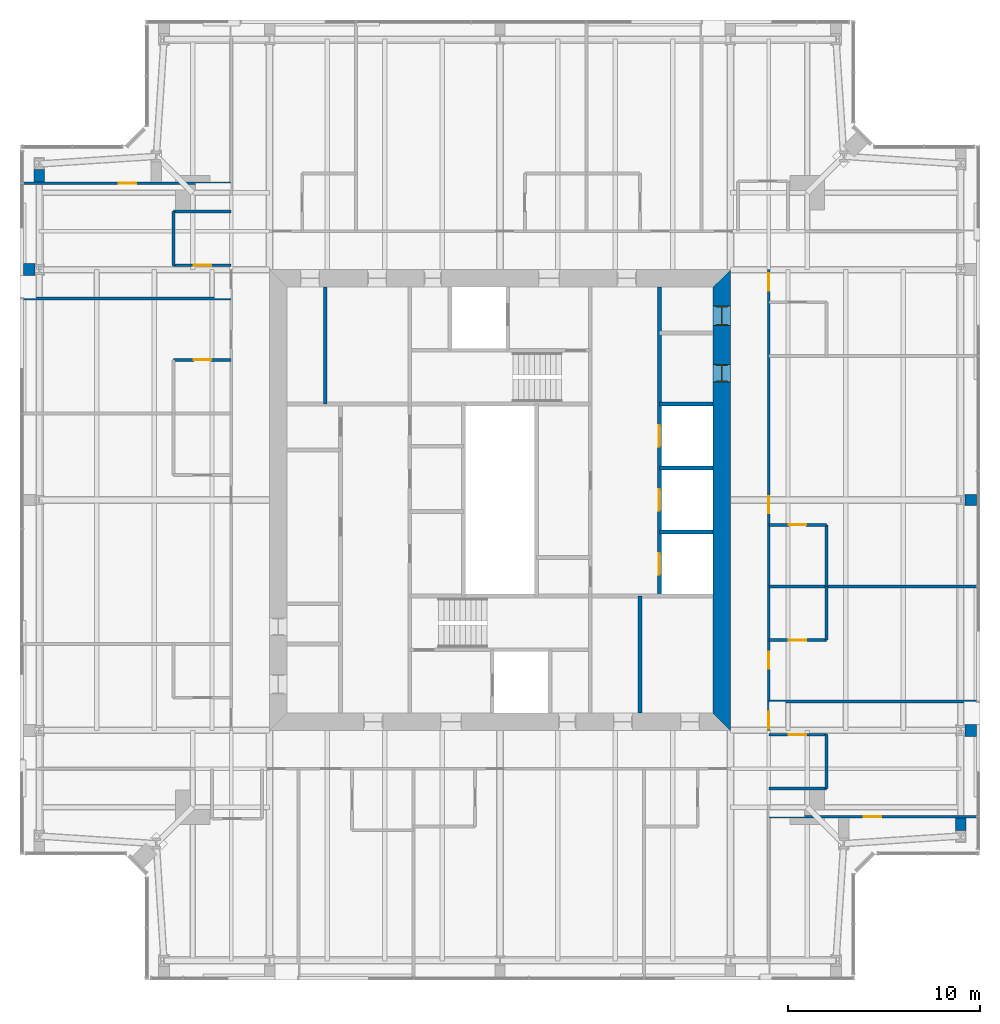
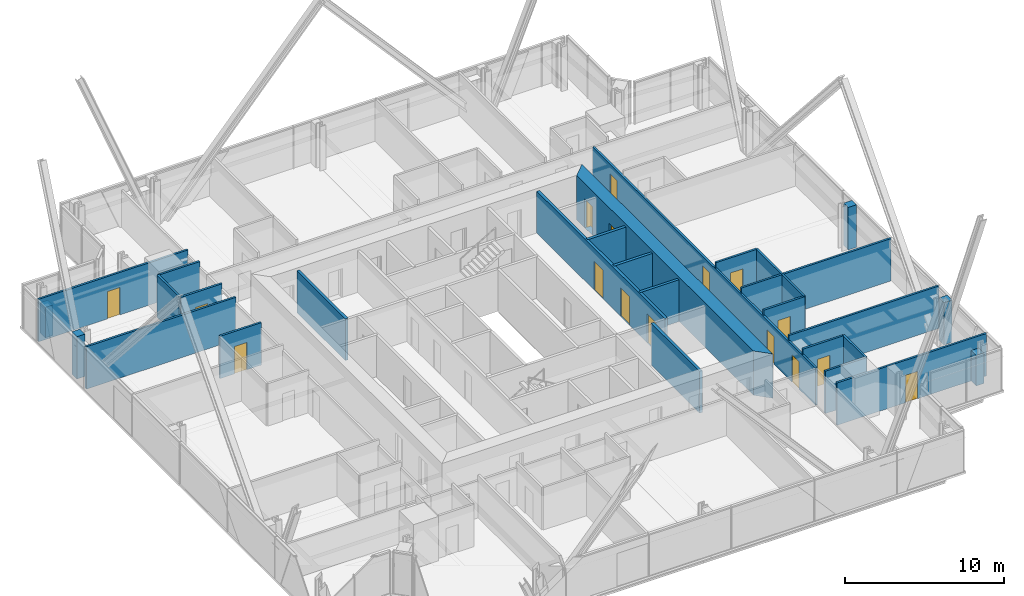
# One storey, part 13 of 18: 29 walls, 16 doors, 16 openings.
"""IFC4 building model written with IfcOpenShell, lengths in metres."""

from ifc_helpers import new_model, si_unit, direction, frame, frame_2d, origin, place, context, subcontext, project, spatial, polyline, rectangle, outline, extrude, material, layer, layer_set, type_object, element, fill, save


model = new_model("IFC4")

# Units and contexts
model_context = context("Model", 3, precision=1e-05, world=origin(), true_north=direction((0.0, 1.0)))
body_context = subcontext(model_context, "Body", "Model", "MODEL_VIEW")
ifc_project = project(units=[si_unit("LENGTHUNIT", "METRE"), si_unit("AREAUNIT", "SQUARE_METRE"), si_unit("VOLUMEUNIT", "CUBIC_METRE"), si_unit("PLANEANGLEUNIT", "RADIAN"), si_unit("MASSUNIT", "GRAM", prefix="KILO")], contexts=[model_context])

# Site, building, storey
site_placement = place(None, origin())
site = spatial("IfcSite", under=ifc_project, at=site_placement, CompositionType="ELEMENT")
building_placement = place(site_placement, origin())
building = spatial("IfcBuilding", under=site, at=building_placement, Name="Fenwick Lantern Interchange", CompositionType="ELEMENT")
storey_placement = place(building_placement, frame((0.0, 0.0, 269.60009765625)))
storey = spatial("IfcBuildingStorey", under=building, at=storey_placement, Name="L64", CompositionType="ELEMENT", Elevation=269.60009765625)

# Walls
ifc_material_1 = material(Name="Fire-rated gypsum board encasement on steel studs, 2 hour", Category="steel")
ifc_layer_1 = layer(ifc_material_1, 0.554931640625)
ifc_layer_set_1 = layer_set([ifc_layer_1], Name="COLUMN PIER 555")
wall_type_1 = type_object("IfcWallType", Name="COLUMN PIER 555", PredefinedType="PARTITIONING", material=ifc_layer_set_1)
for number, where, z_axis, x_axis, name in (
    (1, (49.0, 8.425048828125, 0.0), (0.0, 0.0, 1.0), (0.0, -1.0, 0.0), "L64/W/PIER/CE1"),
    (2, (1.0, 41.574951171875, 0.0), (0.0, 0.0, 1.0), (0.0, 1.0, 0.0), "L64/W/PIER/CW1"),
):
    element("IfcWall", number, at=place(storey_placement, frame(where, z_axis=z_axis, x_axis=x_axis)), inside=storey, type_object=wall_type_1, Name=name, PredefinedType="PARTITIONING", context=body_context, shape_type="SweptSolid", body=[
        extrude(rectangle(XDim=0.640625, YDim=0.554931640625, at=frame_2d((0.3203125, 0.0))), origin(), (0.0, 0.0, 1.0), 2.338134765625),
    ])
ifc_layer_2 = layer(ifc_material_1, 0.574951171875)
ifc_layer_set_2 = layer_set([ifc_layer_2], Name="COLUMN PIER 575")
wall_type_2 = type_object("IfcWallType", Name="COLUMN PIER 575", PredefinedType="PARTITIONING", material=ifc_layer_set_2)
wall_1_placement = place(storey_placement, frame((49.81005859375, 25.0, 0.0), z_axis=(0.0, 0.0, 1.0), x_axis=(-1.0, 0.0, 0.0)))
element("IfcWall", 3, at=wall_1_placement, inside=storey, type_object=wall_type_2, Name="L64/W/PIER/CE3", PredefinedType="PARTITIONING", context=body_context, shape_type="SweptSolid", body=[
    extrude(rectangle(XDim=0.597900390625, YDim=0.574951171875, at=frame_2d((0.298828125, 0.0))), origin(), (0.0, 0.0, 1.0), 3.25),
])
ifc_layer_3 = layer(ifc_material_1, 0.631103515625)
ifc_layer_set_3 = layer_set([ifc_layer_3], Name="COLUMN PIER 631")
wall_type_3 = type_object("IfcWallType", Name="COLUMN PIER 631", PredefinedType="PARTITIONING", material=ifc_layer_set_3)
for number, where, z_axis, x_axis, name in (
    (4, (49.81005859375, 13.0, 0.0), (0.0, 0.0, 1.0), (-1.0, 0.0, 0.0), "L64/W/PIER/CE2"),
    (5, (0.18994140625, 37.0, 0.0), (0.0, 0.0, 1.0), (1.0, 0.0, 0.0), "L64/W/PIER/CW2"),
):
    element("IfcWall", number, at=place(storey_placement, frame(where, z_axis=z_axis, x_axis=x_axis)), inside=storey, type_object=wall_type_3, Name=name, PredefinedType="PARTITIONING", context=body_context, shape_type="SweptSolid", body=[
        extrude(rectangle(XDim=0.589111328125, YDim=0.631103515625, at=frame_2d((0.29443359375, 0.0))), origin(), (0.0, 0.0, 1.0), 3.25),
    ])
ifc_material_2 = material(Name="Concrete masonry ASTM C90 Grade N", Category="masonry")
ifc_layer_4 = layer(ifc_material_2, 0.199951171875)
ifc_layer_set_4 = layer_set([ifc_layer_4], Name="Concrete masonry ASTM C90 Grade N")
wall_type_4 = type_object("IfcWallType", Name="CORE PARTITION 200", PredefinedType="PARTITIONING", material=ifc_layer_set_4)
wall_2_placement = place(storey_placement, frame((32.300048828125, 13.89990234375, 0.0), z_axis=(0.0, 0.0, 1.0), x_axis=(0.0, 1.0, 0.0)))
element("IfcWall", 6, at=wall_2_placement, inside=storey, type_object=wall_type_4, Name="L64/W/CORES/i2", PredefinedType="PARTITIONING", context=body_context, shape_type="SweptSolid", body=[
    extrude(rectangle(XDim=6.10009765625, YDim=0.199951171875, at=frame_2d((3.050048828125, 0.0))), origin(), (0.0, 0.0, 1.0), 3.199951171875),
])

# Wall, openings, doors
wall_3_placement = place(storey_placement, frame((33.300048828125, 36.10009765625, 0.0), z_axis=(0.0, 0.0, 1.0), x_axis=(0.0, -1.0, 0.0)))
wall_3 = element("IfcWall", 7, at=wall_3_placement, inside=storey, type_object=wall_type_4, Name="L64/W/COREN/a", PredefinedType="PARTITIONING", context=body_context, shape_type="SweptSolid", body=[
    extrude(rectangle(XDim=16.10009765625, YDim=0.199951171875, at=frame_2d((8.050048828125, 0.0))), origin(), (0.0, 0.0, 1.0), 3.199951171875),
])
opening_1_placement = place(wall_3_placement, frame((7.216552734375, 0.0, 0.0)))
opening_1 = element("IfcOpeningElement", 8, at=opening_1_placement, cuts=wall_3, Name="Opening LD-E1-1", PredefinedType="OPENING", context=body_context, shape_type="SweptSolid", body=[
    extrude(rectangle(XDim=1.10009765625, YDim=2.199951171875, at=frame_2d((0.550048828125, 1.10009765625))), frame((0.0, 0.10986328125, 0.0), z_axis=(0.0, -1.0, 0.0), x_axis=(1.0, 0.0, 0.0)), (0.0, 0.0, 1.0), 0.219970703125),
])
opening_2_placement = place(wall_3_placement, frame((10.550048828125, 0.0, 0.0)))
opening_2 = element("IfcOpeningElement", 9, at=opening_2_placement, cuts=wall_3, Name="Opening LD-E1-2", PredefinedType="OPENING", context=body_context, shape_type="SweptSolid", body=[
    extrude(rectangle(XDim=1.10009765625, YDim=2.199951171875, at=frame_2d((0.550048828125, 1.10009765625))), frame((0.0, 0.10986328125, 0.0), z_axis=(0.0, -1.0, 0.0), x_axis=(1.0, 0.0, 0.0)), (0.0, 0.0, 1.0), 0.219970703125),
])
opening_3_placement = place(wall_3_placement, frame((13.88330078125, 0.0, 0.0)))
opening_3 = element("IfcOpeningElement", 10, at=opening_3_placement, cuts=wall_3, Name="Opening LD-E1-3", PredefinedType="OPENING", context=body_context, shape_type="SweptSolid", body=[
    extrude(rectangle(XDim=1.10009765625, YDim=2.199951171875, at=frame_2d((0.550048828125, 1.10009765625))), frame((0.0, 0.10986328125, 0.0), z_axis=(0.0, -1.0, 0.0), x_axis=(1.0, 0.0, 0.0)), (0.0, 0.0, 1.0), 0.219970703125),
])
ifc_material_3 = material(Name="Steel door and frame", Category="steel")
door_type_1 = type_object("IfcDoorType", Name="LIFT LANDING DOOR 1100 X 2200", OperationType="DOUBLE_DOOR_SLIDING", PredefinedType="DOOR", material=ifc_material_3)
door_1_placement = place(opening_1_placement, origin())
door_1 = element("IfcDoor", 11, at=door_1_placement, inside=storey, type_object=door_type_1, Name="Lift landing door E1-1", OperationType="DOUBLE_DOOR_SLIDING", OverallHeight=2.199951171875, OverallWidth=1.10009765625, PredefinedType="DOOR", context=body_context, shape_type="SweptSolid", body=[
    extrude(rectangle(XDim=1.10009765625, YDim=2.199951171875, at=frame_2d((0.550048828125, 1.10009765625))), frame((0.0, 0.02490234375, 0.0), z_axis=(0.0, -1.0, 0.0), x_axis=(1.0, 0.0, 0.0)), (0.0, 0.0, 1.0), 0.050048828125),
])
fill(opening_1, door_1)
door_2_placement = place(opening_2_placement, origin())
door_2 = element("IfcDoor", 12, at=door_2_placement, inside=storey, type_object=door_type_1, Name="Lift landing door E1-2", OperationType="DOUBLE_DOOR_SLIDING", OverallHeight=2.199951171875, OverallWidth=1.10009765625, PredefinedType="DOOR", context=body_context, shape_type="SweptSolid", body=[
    extrude(rectangle(XDim=1.10009765625, YDim=2.199951171875, at=frame_2d((0.550048828125, 1.10009765625))), frame((0.0, 0.02490234375, 0.0), z_axis=(0.0, -1.0, 0.0), x_axis=(1.0, 0.0, 0.0)), (0.0, 0.0, 1.0), 0.050048828125),
])
fill(opening_2, door_2)
door_3_placement = place(opening_3_placement, origin())
door_3 = element("IfcDoor", 13, at=door_3_placement, inside=storey, type_object=door_type_1, Name="Lift landing door E1-3", OperationType="DOUBLE_DOOR_SLIDING", OverallHeight=2.199951171875, OverallWidth=1.10009765625, PredefinedType="DOOR", context=body_context, shape_type="SweptSolid", body=[
    extrude(rectangle(XDim=1.10009765625, YDim=2.199951171875, at=frame_2d((0.550048828125, 1.10009765625))), frame((0.0, 0.02490234375, 0.0), z_axis=(0.0, -1.0, 0.0), x_axis=(1.0, 0.0, 0.0)), (0.0, 0.0, 1.0), 0.050048828125),
])
fill(opening_3, door_3)

# Walls
for number, where, z_axis, x_axis, name in (
    (14, (36.10009765625, 30.0, 0.0), (0.0, 0.0, 1.0), (-1.0, 0.0, 0.0), "L64/W/COREN/c2"),
    (15, (36.10009765625, 26.666748046875, 0.0), (0.0, 0.0, 1.0), (-1.0, 0.0, 0.0), "L64/W/COREN/d1"),
    (16, (36.10009765625, 23.333251953125, 0.0), (0.0, 0.0, 1.0), (-1.0, 0.0, 0.0), "L64/W/COREN/d2"),
):
    element("IfcWall", number, at=place(storey_placement, frame(where, z_axis=z_axis, x_axis=x_axis)), inside=storey, type_object=wall_type_4, Name=name, PredefinedType="PARTITIONING", context=body_context, shape_type="SweptSolid", body=[
        extrude(rectangle(XDim=2.800048828125, YDim=0.199951171875, at=frame_2d((1.39990234375, 0.0))), origin(), (0.0, 0.0, 1.0), 3.199951171875),
    ])
wall_4_placement = place(storey_placement, frame((15.89990234375, 36.10009765625, 0.0), z_axis=(0.0, 0.0, 1.0), x_axis=(0.0, -1.0, 0.0)))
element("IfcWall", 17, at=wall_4_placement, inside=storey, type_object=wall_type_4, Name="L64/W/COREN/i2", PredefinedType="PARTITIONING", context=body_context, shape_type="SweptSolid", body=[
    extrude(rectangle(XDim=6.10009765625, YDim=0.199951171875, at=frame_2d((3.050048828125, 0.0))), origin(), (0.0, 0.0, 1.0), 3.199951171875),
])

# Wall, openings, doors
ifc_material_4 = material(Name="Concrete f'c 70 MPa", Category="concrete")
ifc_layer_5 = layer(ifc_material_4, 0.89990234375)
ifc_layer_set_5 = layer_set([ifc_layer_5], Name="CORE WALL 900")
wall_type_5 = type_object("IfcWallType", Name="CORE WALL 900", PredefinedType="SHEAR", material=ifc_layer_set_5)
wall_5_placement = place(storey_placement, frame((36.550048828125, 13.89990234375, 0.0), z_axis=(0.0, 0.0, 1.0), x_axis=(0.0, 1.0, 0.0)))
wall_5 = element("IfcWall", 18, at=wall_5_placement, inside=storey, type_object=wall_type_5, Name="L64/CORE/E", PredefinedType="SHEAR", context=body_context, shape_type="SweptSolid", body=[
    extrude(outline(polyline([(-0.89990234375, -0.449951171875), (23.10009765625, -0.449951171875), (22.199951171875, 0.449951171875), (0.0, 0.449951171875), (-0.89990234375, -0.449951171875)])), origin(), (0.0, 0.0, 1.0), 3.39990234375),
])
opening_4_placement = place(wall_5_placement, frame((20.199951171875, 0.0, 0.0)))
opening_4 = element("IfcOpeningElement", 19, at=opening_4_placement, cuts=wall_5, Name="Opening L64-D020", PredefinedType="OPENING", context=body_context, shape_type="SweptSolid", body=[
    extrude(rectangle(XDim=1.0, YDim=2.199951171875, at=frame_2d((0.5, 1.10009765625))), frame((0.0, 0.4599609375, 0.0), z_axis=(0.0, -1.0, 0.0), x_axis=(1.0, 0.0, 0.0)), (0.0, 0.0, 1.0), 0.919921875),
])
opening_5_placement = place(wall_5_placement, frame((17.25, 0.0, 0.0)))
opening_5 = element("IfcOpeningElement", 20, at=opening_5_placement, cuts=wall_5, Name="Opening L64-D021", PredefinedType="OPENING", context=body_context, shape_type="SweptSolid", body=[
    extrude(rectangle(XDim=0.89990234375, YDim=2.199951171875, at=frame_2d((0.449951171875, 1.10009765625))), frame((0.0, 0.4599609375, 0.0), z_axis=(0.0, -1.0, 0.0), x_axis=(1.0, 0.0, 0.0)), (0.0, 0.0, 1.0), 0.919921875),
])
door_type_2 = type_object("IfcDoorType", Name="SERVICE DOOR 1000 X 2200", OperationType="SINGLE_SWING_LEFT", PredefinedType="DOOR", material=ifc_material_3)
door_4_placement = place(opening_4_placement, origin())
door_4 = element("IfcDoor", 21, at=door_4_placement, inside=storey, type_object=door_type_2, Name="Service door", OperationType="SINGLE_SWING_LEFT", OverallHeight=2.199951171875, OverallWidth=1.0, PredefinedType="DOOR", context=body_context, shape_type="SweptSolid", body=[
    extrude(rectangle(XDim=1.0, YDim=2.199951171875, at=frame_2d((0.5, 1.10009765625))), frame((0.0, 0.02490234375, 0.0), z_axis=(0.0, -1.0, 0.0), x_axis=(1.0, 0.0, 0.0)), (0.0, 0.0, 1.0), 0.050048828125),
    extrude(outline(polyline([(0.0, 0.0), (0.0400390625, 0.0), (0.0400390625, 2.159912109375), (0.9599609375, 2.159912109375), (0.9599609375, 0.0), (1.0, 0.0), (1.0, 2.199951171875), (0.0, 2.199951171875), (0.0, 0.0)])), frame((0.0, 0.300048828125, 0.0), z_axis=(0.0, -1.0, 0.0), x_axis=(1.0, 0.0, 0.0)), (0.0, 0.0, 1.0), 0.60009765625),
])
fill(opening_4, door_4)
door_type_3 = type_object("IfcDoorType", Name="SERVICE DOOR 900 X 2200", OperationType="SINGLE_SWING_LEFT", PredefinedType="DOOR", material=ifc_material_3)
door_5_placement = place(opening_5_placement, origin())
door_5 = element("IfcDoor", 22, at=door_5_placement, inside=storey, type_object=door_type_3, Name="Service door", OperationType="SINGLE_SWING_LEFT", OverallHeight=2.199951171875, OverallWidth=0.89990234375, PredefinedType="DOOR", context=body_context, shape_type="SweptSolid", body=[
    extrude(rectangle(XDim=0.89990234375, YDim=2.199951171875, at=frame_2d((0.449951171875, 1.10009765625))), frame((0.0, 0.02490234375, 0.0), z_axis=(0.0, -1.0, 0.0), x_axis=(1.0, 0.0, 0.0)), (0.0, 0.0, 1.0), 0.050048828125),
    extrude(outline(polyline([(0.0, 0.0), (0.0400390625, 0.0), (0.0400390625, 2.159912109375), (0.85986328125, 2.159912109375), (0.85986328125, 0.0), (0.89990234375, 0.0), (0.89990234375, 2.199951171875), (0.0, 2.199951171875), (0.0, 0.0)])), frame((0.0, 0.300048828125, 0.0), z_axis=(0.0, -1.0, 0.0), x_axis=(1.0, 0.0, 0.0)), (0.0, 0.0, 1.0), 0.60009765625),
])
fill(opening_5, door_5)

ifc_material_5 = material(Name="Gypsum board on steel studs, 1 hour", Category="steel")
ifc_layer_6 = layer(ifc_material_5, 0.14990234375)
ifc_layer_set_6 = layer_set([ifc_layer_6], Name="CORRIDOR WALL 150")
wall_type_6 = type_object("IfcWallType", Name="CORRIDOR WALL 150", PredefinedType="PARTITIONING", material=ifc_layer_set_6)
wall_6_placement = place(storey_placement, frame((39.0, 11.0, 0.0), z_axis=(0.0, 0.0, 1.0), x_axis=(0.0, 1.0, 0.0)))
wall_6 = element("IfcWall", 23, at=wall_6_placement, inside=storey, type_object=wall_type_6, Name="L64/W/HOTEL/E/CW", PredefinedType="PARTITIONING", context=body_context, shape_type="SweptSolid", body=[
    extrude(rectangle(XDim=28.0, YDim=0.14990234375, at=frame_2d((14.0, 0.0))), origin(), (0.0, 0.0, 1.0), 2.843505859375),
])
opening_6_placement = place(wall_6_placement, frame((2.074951171875, 0.0, 0.0)))
opening_6 = element("IfcOpeningElement", 24, at=opening_6_placement, cuts=wall_6, Name="Opening L64-D034", PredefinedType="OPENING", context=body_context, shape_type="SweptSolid", body=[
    extrude(rectangle(XDim=0.89990234375, YDim=2.10009765625, at=frame_2d((0.449951171875, 1.050048828125))), frame((0.0, 0.0849609375, 0.0), z_axis=(0.0, -1.0, 0.0), x_axis=(1.0, 0.0, 0.0)), (0.0, 0.0, 1.0), 0.169921875),
])
opening_7_placement = place(wall_6_placement, frame((5.199951171875, 0.0, 0.0)))
opening_7 = element("IfcOpeningElement", 25, at=opening_7_placement, cuts=wall_6, Name="Opening L64-D036", PredefinedType="OPENING", context=body_context, shape_type="SweptSolid", body=[
    extrude(rectangle(XDim=0.89990234375, YDim=2.10009765625, at=frame_2d((0.449951171875, 1.050048828125))), frame((0.0, 0.0849609375, 0.0), z_axis=(0.0, -1.0, 0.0), x_axis=(1.0, 0.0, 0.0)), (0.0, 0.0, 1.0), 0.169921875),
])
opening_8_placement = place(wall_6_placement, frame((13.300048828125, 0.0, 0.0)))
opening_8 = element("IfcOpeningElement", 26, at=opening_8_placement, cuts=wall_6, Name="Opening L64-D038", PredefinedType="OPENING", context=body_context, shape_type="SweptSolid", body=[
    extrude(rectangle(XDim=0.89990234375, YDim=2.10009765625, at=frame_2d((0.449951171875, 1.050048828125))), frame((0.0, 0.0849609375, 0.0), z_axis=(0.0, -1.0, 0.0), x_axis=(1.0, 0.0, 0.0)), (0.0, 0.0, 1.0), 0.169921875),
])
opening_9_placement = place(wall_6_placement, frame((24.89990234375, 0.0, 0.0)))
opening_9 = element("IfcOpeningElement", 27, at=opening_9_placement, cuts=wall_6, Name="Opening L64-D040", PredefinedType="OPENING", context=body_context, shape_type="SweptSolid", body=[
    extrude(rectangle(XDim=0.89990234375, YDim=2.10009765625, at=frame_2d((0.449951171875, 1.050048828125))), frame((0.0, 0.0849609375, 0.0), z_axis=(0.0, -1.0, 0.0), x_axis=(1.0, 0.0, 0.0)), (0.0, 0.0, 1.0), 0.169921875),
])
door_type_4 = type_object("IfcDoorType", Name="GUEST ROOM DOOR 900 X 2100", OperationType="SINGLE_SWING_LEFT", PredefinedType="DOOR", material=ifc_material_3)
door_6_placement = place(opening_6_placement, frame((0.89990234375, 0.0, 0.0), z_axis=(0.0, 0.0, 1.0), x_axis=(-1.0, 0.0, 0.0)))
door_6 = element("IfcDoor", 28, at=door_6_placement, inside=storey, type_object=door_type_4, Name="Guest room door", OperationType="SINGLE_SWING_RIGHT", OverallHeight=2.10009765625, OverallWidth=0.89990234375, PredefinedType="DOOR", context=body_context, shape_type="SweptSolid", body=[
    extrude(rectangle(XDim=0.89990234375, YDim=2.10009765625, at=frame_2d((0.449951171875, 1.050048828125))), frame((0.0, 0.02490234375, 0.0), z_axis=(0.0, -1.0, 0.0), x_axis=(1.0, 0.0, 0.0)), (0.0, 0.0, 1.0), 0.050048828125),
])
fill(opening_6, door_6)
door_7_placement = place(opening_7_placement, frame((0.89990234375, 0.0, 0.0), z_axis=(0.0, 0.0, 1.0), x_axis=(-1.0, 0.0, 0.0)))
door_7 = element("IfcDoor", 29, at=door_7_placement, inside=storey, type_object=door_type_4, Name="Guest room door", OperationType="SINGLE_SWING_LEFT", OverallHeight=2.10009765625, OverallWidth=0.89990234375, PredefinedType="DOOR", context=body_context, shape_type="SweptSolid", body=[
    extrude(rectangle(XDim=0.89990234375, YDim=2.10009765625, at=frame_2d((0.449951171875, 1.050048828125))), frame((0.0, 0.02490234375, 0.0), z_axis=(0.0, -1.0, 0.0), x_axis=(1.0, 0.0, 0.0)), (0.0, 0.0, 1.0), 0.050048828125),
])
fill(opening_7, door_7)
door_8_placement = place(opening_8_placement, frame((0.89990234375, 0.0, 0.0), z_axis=(0.0, 0.0, 1.0), x_axis=(-1.0, 0.0, 0.0)))
door_8 = element("IfcDoor", 30, at=door_8_placement, inside=storey, type_object=door_type_4, Name="Guest room door", OperationType="SINGLE_SWING_RIGHT", OverallHeight=2.10009765625, OverallWidth=0.89990234375, PredefinedType="DOOR", context=body_context, shape_type="SweptSolid", body=[
    extrude(rectangle(XDim=0.89990234375, YDim=2.10009765625, at=frame_2d((0.449951171875, 1.050048828125))), frame((0.0, 0.02490234375, 0.0), z_axis=(0.0, -1.0, 0.0), x_axis=(1.0, 0.0, 0.0)), (0.0, 0.0, 1.0), 0.050048828125),
])
fill(opening_8, door_8)
door_9_placement = place(opening_9_placement, frame((0.89990234375, 0.0, 0.0), z_axis=(0.0, 0.0, 1.0), x_axis=(-1.0, 0.0, 0.0)))
door_9 = element("IfcDoor", 31, at=door_9_placement, inside=storey, type_object=door_type_4, Name="Guest room door", OperationType="SINGLE_SWING_RIGHT", OverallHeight=2.10009765625, OverallWidth=0.89990234375, PredefinedType="DOOR", context=body_context, shape_type="SweptSolid", body=[
    extrude(rectangle(XDim=0.89990234375, YDim=2.10009765625, at=frame_2d((0.449951171875, 1.050048828125))), frame((0.0, 0.02490234375, 0.0), z_axis=(0.0, -1.0, 0.0), x_axis=(1.0, 0.0, 0.0)), (0.0, 0.0, 1.0), 0.050048828125),
])
fill(opening_9, door_9)

# Wall
ifc_material_6 = material(Name="Gypsum board on steel studs, moisture resistant", Category="steel")
ifc_layer_7 = layer(ifc_material_6, 0.14990234375)
ifc_layer_set_7 = layer_set([ifc_layer_7], Name="EN-SUITE WALL 150")
wall_type_7 = type_object("IfcWallType", Name="EN-SUITE WALL 150", PredefinedType="PARTITIONING", material=ifc_layer_set_7)
wall_7_placement = place(storey_placement, frame((42.0, 9.97509765625, 0.0), z_axis=(0.0, 0.0, 1.0), x_axis=(0.0, 1.0, 0.0)))
element("IfcWall", 32, at=wall_7_placement, inside=storey, type_object=wall_type_7, Name="L64/W/HOTEL/E/U1BW", PredefinedType="PARTITIONING", context=body_context, shape_type="SweptSolid", body=[
    extrude(rectangle(XDim=2.7998046875, YDim=0.14990234375, at=frame_2d((1.39990234375, 0.0))), origin(), (0.0, 0.0, 1.0), 3.25),
])

# Wall, opening, door
wall_8_placement = place(storey_placement, frame((42.0, 12.77490234375, 0.0), z_axis=(0.0, 0.0, 1.0), x_axis=(-1.0, 0.0, 0.0)))
wall_8 = element("IfcWall", 33, at=wall_8_placement, inside=storey, type_object=wall_type_7, Name="L64/W/HOTEL/E/U1BX", PredefinedType="PARTITIONING", context=body_context, shape_type="SweptSolid", body=[
    extrude(rectangle(XDim=3.0, YDim=0.14990234375, at=frame_2d((1.5, 0.0))), origin(), (0.0, 0.0, 1.0), 3.25),
])
opening_10_placement = place(wall_8_placement, frame((1.050048828125, 0.0, 0.0)))
opening_10 = element("IfcOpeningElement", 34, at=opening_10_placement, cuts=wall_8, Name="Opening L64-D032", PredefinedType="OPENING", context=body_context, shape_type="SweptSolid", body=[
    extrude(rectangle(XDim=0.89990234375, YDim=2.10009765625, at=frame_2d((0.449951171875, 1.050048828125))), frame((0.0, 0.0849609375, 0.0), z_axis=(0.0, -1.0, 0.0), x_axis=(1.0, 0.0, 0.0)), (0.0, 0.0, 1.0), 0.169921875),
])
ifc_material_7 = material(Name="Hardwood door and steel frame", Category="steel")
door_type_5 = type_object("IfcDoorType", Name="EN-SUITE DOOR 900 X 2100", OperationType="SINGLE_SWING_LEFT", PredefinedType="DOOR", material=ifc_material_7)
door_10_placement = place(opening_10_placement, origin())
door_10 = element("IfcDoor", 35, at=door_10_placement, inside=storey, type_object=door_type_5, Name="En-suite door", OperationType="SINGLE_SWING_LEFT", OverallHeight=2.10009765625, OverallWidth=0.89990234375, PredefinedType="DOOR", context=body_context, shape_type="SweptSolid", body=[
    extrude(rectangle(XDim=0.89990234375, YDim=2.10009765625, at=frame_2d((0.449951171875, 1.050048828125))), frame((0.0, 0.02490234375, 0.0), z_axis=(0.0, -1.0, 0.0), x_axis=(1.0, 0.0, 0.0)), (0.0, 0.0, 1.0), 0.050048828125),
])
fill(opening_10, door_10)

# Walls
wall_9_placement = place(storey_placement, frame((42.0, 9.97509765625, 0.0), z_axis=(0.0, 0.0, 1.0), x_axis=(-1.0, 0.0, 0.0)))
element("IfcWall", 36, at=wall_9_placement, inside=storey, type_object=wall_type_7, Name="L64/W/HOTEL/E/U1BV", PredefinedType="PARTITIONING", context=body_context, shape_type="SweptSolid", body=[
    extrude(rectangle(XDim=3.0, YDim=0.14990234375, at=frame_2d((1.5, 0.0))), origin(), (0.0, 0.0, 1.0), 3.25),
])
wall_10_placement = place(storey_placement, frame((42.0, 17.699951171875, 0.0), z_axis=(0.0, 0.0, 1.0), x_axis=(0.0, 1.0, 0.0)))
element("IfcWall", 37, at=wall_10_placement, inside=storey, type_object=wall_type_7, Name="L64/W/HOTEL/E/U2BW", PredefinedType="PARTITIONING", context=body_context, shape_type="SweptSolid", body=[
    extrude(rectangle(XDim=2.800048828125, YDim=0.14990234375, at=frame_2d((1.39990234375, 0.0))), origin(), (0.0, 0.0, 1.0), 3.25),
])

# Wall, opening, door
wall_11_placement = place(storey_placement, frame((42.0, 17.699951171875, 0.0), z_axis=(0.0, 0.0, 1.0), x_axis=(-1.0, 0.0, 0.0)))
wall_11 = element("IfcWall", 38, at=wall_11_placement, inside=storey, type_object=wall_type_7, Name="L64/W/HOTEL/E/U2BX", PredefinedType="PARTITIONING", context=body_context, shape_type="SweptSolid", body=[
    extrude(rectangle(XDim=3.0, YDim=0.14990234375, at=frame_2d((1.5, 0.0))), origin(), (0.0, 0.0, 1.0), 3.25),
])
opening_11_placement = place(wall_11_placement, frame((1.050048828125, 0.0, 0.0)))
opening_11 = element("IfcOpeningElement", 39, at=opening_11_placement, cuts=wall_11, Name="Opening L64-D035", PredefinedType="OPENING", context=body_context, shape_type="SweptSolid", body=[
    extrude(rectangle(XDim=0.89990234375, YDim=2.10009765625, at=frame_2d((0.449951171875, 1.050048828125))), frame((0.0, 0.0849609375, 0.0), z_axis=(0.0, -1.0, 0.0), x_axis=(1.0, 0.0, 0.0)), (0.0, 0.0, 1.0), 0.169921875),
])
door_11_placement = place(opening_11_placement, frame((0.89990234375, 0.0, 0.0), z_axis=(0.0, 0.0, 1.0), x_axis=(-1.0, 0.0, 0.0)))
door_11 = element("IfcDoor", 40, at=door_11_placement, inside=storey, type_object=door_type_5, Name="En-suite door", OperationType="SINGLE_SWING_RIGHT", OverallHeight=2.10009765625, OverallWidth=0.89990234375, PredefinedType="DOOR", context=body_context, shape_type="SweptSolid", body=[
    extrude(rectangle(XDim=0.89990234375, YDim=2.10009765625, at=frame_2d((0.449951171875, 1.050048828125))), frame((0.0, 0.02490234375, 0.0), z_axis=(0.0, -1.0, 0.0), x_axis=(1.0, 0.0, 0.0)), (0.0, 0.0, 1.0), 0.050048828125),
])
fill(opening_11, door_11)

# Wall
wall_12_placement = place(storey_placement, frame((42.0, 20.5, 0.0), z_axis=(0.0, 0.0, 1.0), x_axis=(0.0, 1.0, 0.0)))
element("IfcWall", 41, at=wall_12_placement, inside=storey, type_object=wall_type_7, Name="L64/W/HOTEL/E/U3BW", PredefinedType="PARTITIONING", context=body_context, shape_type="SweptSolid", body=[
    extrude(rectangle(XDim=3.199951171875, YDim=0.14990234375, at=frame_2d((1.60009765625, 0.0))), origin(), (0.0, 0.0, 1.0), 3.25),
])

# Wall, opening, door
wall_13_placement = place(storey_placement, frame((42.0, 23.699951171875, 0.0), z_axis=(0.0, 0.0, 1.0), x_axis=(-1.0, 0.0, 0.0)))
wall_13 = element("IfcWall", 42, at=wall_13_placement, inside=storey, type_object=wall_type_7, Name="L64/W/HOTEL/E/U3BX", PredefinedType="PARTITIONING", context=body_context, shape_type="SweptSolid", body=[
    extrude(rectangle(XDim=3.0, YDim=0.14990234375, at=frame_2d((1.5, 0.0))), origin(), (0.0, 0.0, 1.0), 3.25),
])
opening_12_placement = place(wall_13_placement, frame((1.050048828125, 0.0, 0.0)))
opening_12 = element("IfcOpeningElement", 43, at=opening_12_placement, cuts=wall_13, Name="Opening L64-D037", PredefinedType="OPENING", context=body_context, shape_type="SweptSolid", body=[
    extrude(rectangle(XDim=0.89990234375, YDim=2.10009765625, at=frame_2d((0.449951171875, 1.050048828125))), frame((0.0, 0.0849609375, 0.0), z_axis=(0.0, -1.0, 0.0), x_axis=(1.0, 0.0, 0.0)), (0.0, 0.0, 1.0), 0.169921875),
])
door_12_placement = place(opening_12_placement, origin())
door_12 = element("IfcDoor", 44, at=door_12_placement, inside=storey, type_object=door_type_5, Name="En-suite door", OperationType="SINGLE_SWING_LEFT", OverallHeight=2.10009765625, OverallWidth=0.89990234375, PredefinedType="DOOR", context=body_context, shape_type="SweptSolid", body=[
    extrude(rectangle(XDim=0.89990234375, YDim=2.10009765625, at=frame_2d((0.449951171875, 1.050048828125))), frame((0.0, 0.02490234375, 0.0), z_axis=(0.0, -1.0, 0.0), x_axis=(1.0, 0.0, 0.0)), (0.0, 0.0, 1.0), 0.050048828125),
])
fill(opening_12, door_12)

# Wall
wall_14_placement = place(storey_placement, frame((8.0, 40.02490234375, 0.0), z_axis=(0.0, 0.0, 1.0), x_axis=(0.0, -1.0, 0.0)))
element("IfcWall", 45, at=wall_14_placement, inside=storey, type_object=wall_type_7, Name="L64/W/HOTEL/W/U1BW", PredefinedType="PARTITIONING", context=body_context, shape_type="SweptSolid", body=[
    extrude(rectangle(XDim=2.7998046875, YDim=0.14990234375, at=frame_2d((1.39990234375, 0.0))), origin(), (0.0, 0.0, 1.0), 3.25),
])

# Wall, opening, door
wall_15_placement = place(storey_placement, frame((8.0, 37.22509765625, 0.0), z_axis=(0.0, 0.0, 1.0), x_axis=(1.0, 0.0, 0.0)))
wall_15 = element("IfcWall", 46, at=wall_15_placement, inside=storey, type_object=wall_type_7, Name="L64/W/HOTEL/W/U1BX", PredefinedType="PARTITIONING", context=body_context, shape_type="SweptSolid", body=[
    extrude(rectangle(XDim=3.0, YDim=0.14990234375, at=frame_2d((1.5, 0.0))), origin(), (0.0, 0.0, 1.0), 3.25),
])
opening_13_placement = place(wall_15_placement, frame((1.050048828125, 0.0, 0.0)))
opening_13 = element("IfcOpeningElement", 47, at=opening_13_placement, cuts=wall_15, Name="Opening L64-D049", PredefinedType="OPENING", context=body_context, shape_type="SweptSolid", body=[
    extrude(rectangle(XDim=0.89990234375, YDim=2.10009765625, at=frame_2d((0.449951171875, 1.050048828125))), frame((0.0, 0.0849609375, 0.0), z_axis=(0.0, -1.0, 0.0), x_axis=(1.0, 0.0, 0.0)), (0.0, 0.0, 1.0), 0.169921875),
])
door_13_placement = place(opening_13_placement, origin())
door_13 = element("IfcDoor", 48, at=door_13_placement, inside=storey, type_object=door_type_5, Name="En-suite door", OperationType="SINGLE_SWING_LEFT", OverallHeight=2.10009765625, OverallWidth=0.89990234375, PredefinedType="DOOR", context=body_context, shape_type="SweptSolid", body=[
    extrude(rectangle(XDim=0.89990234375, YDim=2.10009765625, at=frame_2d((0.449951171875, 1.050048828125))), frame((0.0, 0.02490234375, 0.0), z_axis=(0.0, -1.0, 0.0), x_axis=(1.0, 0.0, 0.0)), (0.0, 0.0, 1.0), 0.050048828125),
])
fill(opening_13, door_13)

# Wall
wall_16_placement = place(storey_placement, frame((8.0, 40.02490234375, 0.0), z_axis=(0.0, 0.0, 1.0), x_axis=(1.0, 0.0, 0.0)))
element("IfcWall", 49, at=wall_16_placement, inside=storey, type_object=wall_type_7, Name="L64/W/HOTEL/W/U1BV", PredefinedType="PARTITIONING", context=body_context, shape_type="SweptSolid", body=[
    extrude(rectangle(XDim=3.0, YDim=0.14990234375, at=frame_2d((1.5, 0.0))), origin(), (0.0, 0.0, 1.0), 3.25),
])

# Wall, opening, door
wall_17_placement = place(storey_placement, frame((8.0, 32.300048828125, 0.0), z_axis=(0.0, 0.0, 1.0), x_axis=(1.0, 0.0, 0.0)))
wall_17 = element("IfcWall", 50, at=wall_17_placement, inside=storey, type_object=wall_type_7, Name="L64/W/HOTEL/W/U2BX", PredefinedType="PARTITIONING", context=body_context, shape_type="SweptSolid", body=[
    extrude(rectangle(XDim=3.0, YDim=0.14990234375, at=frame_2d((1.5, 0.0))), origin(), (0.0, 0.0, 1.0), 3.25),
])
opening_14_placement = place(wall_17_placement, frame((1.050048828125, 0.0, 0.0)))
opening_14 = element("IfcOpeningElement", 51, at=opening_14_placement, cuts=wall_17, Name="Opening L64-D052", PredefinedType="OPENING", context=body_context, shape_type="SweptSolid", body=[
    extrude(rectangle(XDim=0.89990234375, YDim=2.10009765625, at=frame_2d((0.449951171875, 1.050048828125))), frame((0.0, 0.0849609375, 0.0), z_axis=(0.0, -1.0, 0.0), x_axis=(1.0, 0.0, 0.0)), (0.0, 0.0, 1.0), 0.169921875),
])
door_14_placement = place(opening_14_placement, frame((0.89990234375, 0.0, 0.0), z_axis=(0.0, 0.0, 1.0), x_axis=(-1.0, 0.0, 0.0)))
door_14 = element("IfcDoor", 52, at=door_14_placement, inside=storey, type_object=door_type_5, Name="En-suite door", OperationType="SINGLE_SWING_RIGHT", OverallHeight=2.10009765625, OverallWidth=0.89990234375, PredefinedType="DOOR", context=body_context, shape_type="SweptSolid", body=[
    extrude(rectangle(XDim=0.89990234375, YDim=2.10009765625, at=frame_2d((0.449951171875, 1.050048828125))), frame((0.0, 0.02490234375, 0.0), z_axis=(0.0, -1.0, 0.0), x_axis=(1.0, 0.0, 0.0)), (0.0, 0.0, 1.0), 0.050048828125),
])
fill(opening_14, door_14)

# Walls
ifc_material_8 = material(Name="Gypsum board on steel studs, 1 hour acoustic", Category="steel")
ifc_layer_8 = layer(ifc_material_8, 0.14990234375)
ifc_layer_set_8 = layer_set([ifc_layer_8], Name="PARTY WALL 150")
wall_type_8 = type_object("IfcWallType", Name="PARTY WALL 150", PredefinedType="PARTITIONING", material=ifc_layer_set_8)
for number, where, z_axis, x_axis, name in (
    (53, (49.85009765625, 14.5, 0.0), (0.0, 0.0, 1.0), (-1.0, 0.0, 0.0), "L64/W/HOTEL/E/U2PW"),
    (54, (49.85009765625, 20.5, 0.0), (0.0, 0.0, 1.0), (-1.0, 0.0, 0.0), "L64/W/HOTEL/E/U3PW"),
    (55, (0.14990234375, 35.5, 0.0), (0.0, 0.0, 1.0), (1.0, 0.0, 0.0), "L64/W/HOTEL/W/U2PW"),
):
    element("IfcWall", number, at=place(storey_placement, frame(where, z_axis=z_axis, x_axis=x_axis)), inside=storey, type_object=wall_type_8, Name=name, PredefinedType="PARTITIONING", context=body_context, shape_type="SweptSolid", body=[
        extrude(rectangle(XDim=10.85009765625, YDim=0.14990234375, at=frame_2d((5.425048828125, 0.0))), origin(), (0.0, 0.0, 1.0), 3.25),
    ])

# Wall, opening, door
ifc_material_9 = material(Name="Gypsum board on steel studs, acoustic", Category="steel")
ifc_layer_9 = layer(ifc_material_9, 0.14990234375)
ifc_layer_set_9 = layer_set([ifc_layer_9], Name="SUITE PARTITION 150")
wall_type_9 = type_object("IfcWallType", Name="SUITE PARTITION 150", PredefinedType="PARTITIONING", material=ifc_layer_set_9)
wall_18_placement = place(storey_placement, frame((49.85009765625, 8.5, 0.0), z_axis=(0.0, 0.0, 1.0), x_axis=(-1.0, 0.0, 0.0)))
wall_18 = element("IfcWall", 56, at=wall_18_placement, inside=storey, type_object=wall_type_9, Name="L64/W/HOTEL/E/U1P", PredefinedType="PARTITIONING", context=body_context, shape_type="SweptSolid", body=[
    extrude(rectangle(XDim=10.85009765625, YDim=0.14990234375, at=frame_2d((5.425048828125, 0.0))), origin(), (0.0, 0.0, 1.0), 3.25),
])
opening_15_placement = place(wall_18_placement, frame((5.0, 0.0, 0.0)))
opening_15 = element("IfcOpeningElement", 57, at=opening_15_placement, cuts=wall_18, Name="Opening L64-D033", PredefinedType="OPENING", context=body_context, shape_type="SweptSolid", body=[
    extrude(rectangle(XDim=0.89990234375, YDim=2.10009765625, at=frame_2d((0.449951171875, 1.050048828125))), frame((0.0, 0.0849609375, 0.0), z_axis=(0.0, -1.0, 0.0), x_axis=(1.0, 0.0, 0.0)), (0.0, 0.0, 1.0), 0.169921875),
])
door_type_6 = type_object("IfcDoorType", Name="SUITE INTERNAL DOOR 900 X 2100", OperationType="SINGLE_SWING_LEFT", PredefinedType="DOOR", material=ifc_material_7)
door_15_placement = place(opening_15_placement, origin())
door_15 = element("IfcDoor", 58, at=door_15_placement, inside=storey, type_object=door_type_6, Name="Suite internal door", OperationType="SINGLE_SWING_RIGHT", OverallHeight=2.10009765625, OverallWidth=0.89990234375, PredefinedType="DOOR", context=body_context, shape_type="SweptSolid", body=[
    extrude(rectangle(XDim=0.89990234375, YDim=2.10009765625, at=frame_2d((0.449951171875, 1.050048828125))), frame((0.0, 0.02490234375, 0.0), z_axis=(0.0, -1.0, 0.0), x_axis=(1.0, 0.0, 0.0)), (0.0, 0.0, 1.0), 0.050048828125),
])
fill(opening_15, door_15)

wall_19_placement = place(storey_placement, frame((0.14990234375, 41.5, 0.0), z_axis=(0.0, 0.0, 1.0), x_axis=(1.0, 0.0, 0.0)))
wall_19 = element("IfcWall", 59, at=wall_19_placement, inside=storey, type_object=wall_type_9, Name="L64/W/HOTEL/W/U1P", PredefinedType="PARTITIONING", context=body_context, shape_type="SweptSolid", body=[
    extrude(rectangle(XDim=10.85009765625, YDim=0.14990234375, at=frame_2d((5.425048828125, 0.0))), origin(), (0.0, 0.0, 1.0), 3.25),
])
opening_16_placement = place(wall_19_placement, frame((5.0, 0.0, 0.0)))
opening_16 = element("IfcOpeningElement", 60, at=opening_16_placement, cuts=wall_19, Name="Opening L64-D050", PredefinedType="OPENING", context=body_context, shape_type="SweptSolid", body=[
    extrude(rectangle(XDim=0.89990234375, YDim=2.10009765625, at=frame_2d((0.449951171875, 1.050048828125))), frame((0.0, 0.0849609375, 0.0), z_axis=(0.0, -1.0, 0.0), x_axis=(1.0, 0.0, 0.0)), (0.0, 0.0, 1.0), 0.169921875),
])
door_16_placement = place(opening_16_placement, origin())
door_16 = element("IfcDoor", 61, at=door_16_placement, inside=storey, type_object=door_type_6, Name="Suite internal door", OperationType="SINGLE_SWING_RIGHT", OverallHeight=2.10009765625, OverallWidth=0.89990234375, PredefinedType="DOOR", context=body_context, shape_type="SweptSolid", body=[
    extrude(rectangle(XDim=0.89990234375, YDim=2.10009765625, at=frame_2d((0.449951171875, 1.050048828125))), frame((0.0, 0.02490234375, 0.0), z_axis=(0.0, -1.0, 0.0), x_axis=(1.0, 0.0, 0.0)), (0.0, 0.0, 1.0), 0.050048828125),
])
fill(opening_16, door_16)

save(model, "model.ifc")
